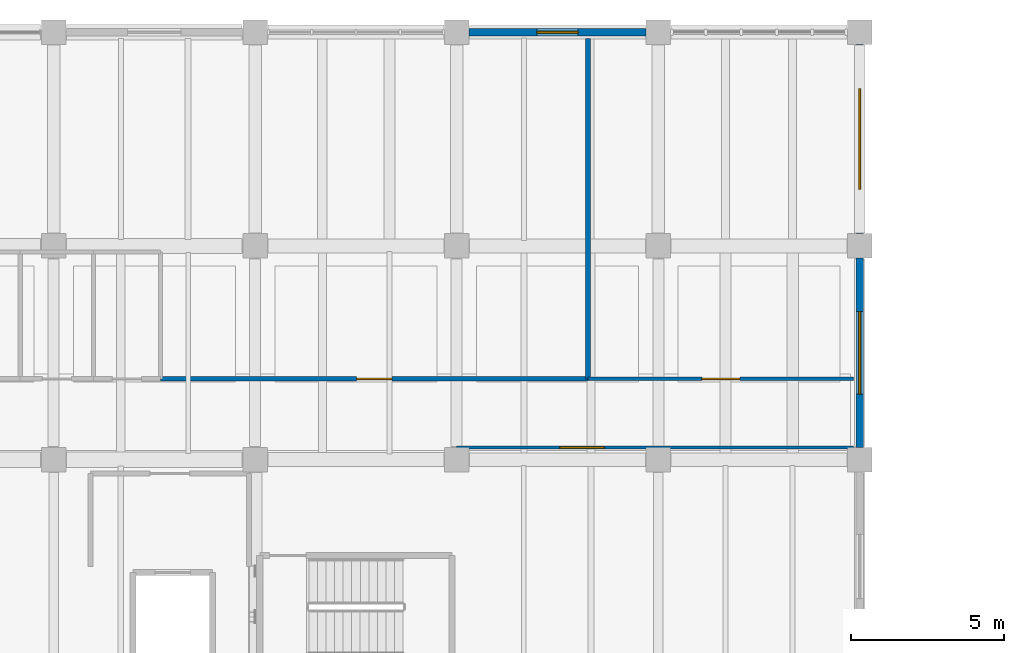
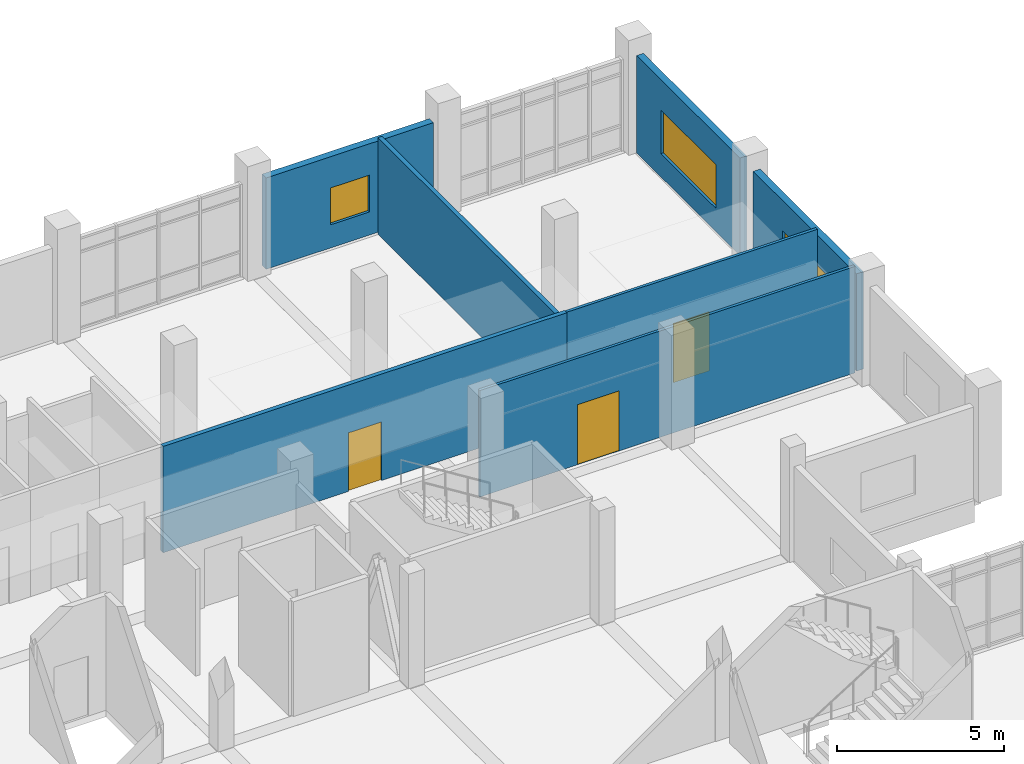
# One storey, part 55 of 67: 7 walls, 3 doors, 3 windows, 6 openings.
"""IFC4 building model written with IfcOpenShell, lengths in metres."""

from ifc_helpers import new_model, si_unit, direction, frame, frame_2d, origin, place, context, subcontext, project, spatial, rectangle, extrude, material, layer, layer_set, type_object, element, fill, save


model = new_model("IFC4")

# Units and contexts
model_context = context("Model", 3, precision=1e-05, world=origin(), true_north=direction((0.0, 1.0)))
body_context = subcontext(model_context, "Body", "Model", "MODEL_VIEW")
ifc_project = project(units=[si_unit("LENGTHUNIT", "METRE"), si_unit("AREAUNIT", "SQUARE_METRE"), si_unit("VOLUMEUNIT", "CUBIC_METRE"), si_unit("PLANEANGLEUNIT", "RADIAN"), si_unit("MASSUNIT", "GRAM", prefix="KILO")], contexts=[model_context])

# Site, building, storey
site_placement = place(None, origin())
site = spatial("IfcSite", under=ifc_project, at=site_placement, CompositionType="ELEMENT")
building_placement = place(site_placement, origin())
building = spatial("IfcBuilding", under=site, at=building_placement, Name="Ciguamira Faculty of Natural Sciences", CompositionType="ELEMENT")
storey_placement = place(building_placement, frame((0.0, 0.0, 8.39990234375)))
storey = spatial("IfcBuildingStorey", under=building, at=storey_placement, Name="L02", CompositionType="ELEMENT", Elevation=8.39990234375)

# Wall, opening, window
ifc_material_1 = material(Name="Precast concrete C40/50", Category="concrete")
ifc_layer_1 = layer(ifc_material_1, 0.239990234375, Name="Precast concrete C40/50")
ifc_layer_set_1 = layer_set([ifc_layer_1], Name="Precast concrete C40/50")
wall_type_1 = type_object("IfcWallType", Name="ExtWall_EW-02_240", PredefinedType="SOLIDWALL", material=ifc_layer_set_1)
wall_1_placement = place(storey_placement, frame((103.89990234375, 115.0, 0.0), z_axis=(0.0, 0.0, 1.0), x_axis=(1.0, 0.0, 0.0)))
wall_1 = element("IfcWall", 1, at=wall_1_placement, inside=storey, type_object=wall_type_1, Name="L02 exterior wall 0230", PredefinedType="SOLIDWALL", context=body_context, shape_type="SweptSolid", body=[
    extrude(rectangle(XDim=5.800048828125, YDim=0.239990234375, at=frame_2d((2.89990234375, 0.0))), origin(), (0.0, 0.0, 1.0), 3.34521484375),
])
opening_1_placement = place(wall_1_placement, frame((2.22509765625, 0.0, 0.85009765625)))
opening_1 = element("IfcOpeningElement", 2, at=opening_1_placement, cuts=wall_1, Name="Opening WT-02", PredefinedType="OPENING", context=body_context, shape_type="SweptSolid", body=[
    extrude(rectangle(XDim=1.35009765625, YDim=1.35009765625, at=frame_2d((0.675048828125, 0.675048828125))), frame((0.0, 0.1298828125, 0.0), z_axis=(0.0, -1.0, 0.0), x_axis=(1.0, 0.0, 0.0)), (0.0, 0.0, 1.0), 0.260009765625),
])
ifc_material_2 = material(Name="Hurricane laminated solar glass", Category="glass")
window_type_1 = type_object("IfcWindowType", Name="Window_WT-02_1350x1350", PartitioningType="DOUBLE_PANEL_VERTICAL", PredefinedType="WINDOW", material=ifc_material_2)
window_1_placement = place(opening_1_placement, origin())
window_1 = element("IfcWindow", 3, at=window_1_placement, inside=storey, type_object=window_type_1, Name="L02 facade window 0137", OverallHeight=1.35009765625, OverallWidth=1.35009765625, PartitioningType="SINGLE_PANEL", PredefinedType="WINDOW", context=body_context, shape_type="SweptSolid", body=[
    extrude(rectangle(XDim=1.35009765625, YDim=1.35009765625, at=frame_2d((0.675048828125, 0.675048828125))), frame((0.0, 0.030029296875, 0.0), z_axis=(0.0, -1.0, 0.0), x_axis=(1.0, 0.0, 0.0)), (0.0, 0.0, 1.0), 0.06005859375),
])
fill(opening_1, window_1)

wall_2_placement = place(storey_placement, frame((116.699951171875, 101.39990234375, 0.0), z_axis=(0.0, 0.0, 1.0), x_axis=(0.0, 1.0, 0.0)))
wall_2 = element("IfcWall", 4, at=wall_2_placement, inside=storey, type_object=wall_type_1, Name="L02 exterior wall 0260", PredefinedType="SOLIDWALL", context=body_context, shape_type="SweptSolid", body=[
    extrude(rectangle(XDim=6.2001953125, YDim=0.239990234375, at=frame_2d((3.10009765625, 0.0))), origin(), (0.0, 0.0, 1.0), 3.565185546875),
])
opening_2_placement = place(wall_2_placement, frame((1.75, 0.0, 0.85009765625)))
opening_2 = element("IfcOpeningElement", 5, at=opening_2_placement, cuts=wall_2, Name="Opening WT-24", PredefinedType="OPENING", context=body_context, shape_type="SweptSolid", body=[
    extrude(rectangle(XDim=2.699951171875, YDim=1.60009765625, at=frame_2d((1.35009765625, 0.800048828125))), frame((0.0, 0.1298828125, 0.0), z_axis=(0.0, -1.0, 0.0), x_axis=(1.0, 0.0, 0.0)), (0.0, 0.0, 1.0), 0.260009765625),
])
window_type_2 = type_object("IfcWindowType", Name="Window_WT-24_2700x1600", PartitioningType="DOUBLE_PANEL_VERTICAL", PredefinedType="WINDOW", material=ifc_material_2)
window_2_placement = place(opening_2_placement, origin())
window_2 = element("IfcWindow", 6, at=window_2_placement, inside=storey, type_object=window_type_2, Name="L02 facade window 0165", OverallHeight=1.60009765625, OverallWidth=2.699951171875, PartitioningType="SINGLE_PANEL", PredefinedType="WINDOW", context=body_context, shape_type="SweptSolid", body=[
    extrude(rectangle(XDim=2.699951171875, YDim=1.60009765625, at=frame_2d((1.35009765625, 0.800048828125))), frame((0.0, 0.030029296875, 0.0), z_axis=(0.0, -1.0, 0.0), x_axis=(1.0, 0.0, 0.0)), (0.0, 0.0, 1.0), 0.06005859375),
])
fill(opening_2, window_2)

wall_3_placement = place(storey_placement, frame((116.699951171875, 108.39990234375, 0.0), z_axis=(0.0, 0.0, 1.0), x_axis=(0.0, 1.0, 0.0)))
wall_3 = element("IfcWall", 7, at=wall_3_placement, inside=storey, type_object=wall_type_1, Name="L02 exterior wall 0261", PredefinedType="SOLIDWALL", context=body_context, shape_type="SweptSolid", body=[
    extrude(rectangle(XDim=6.2001953125, YDim=0.239990234375, at=frame_2d((3.10009765625, 0.0))), origin(), (0.0, 0.0, 1.0), 3.565185546875),
])
opening_3_placement = place(wall_3_placement, frame((1.449951171875, 0.0, 0.85009765625)))
opening_3 = element("IfcOpeningElement", 8, at=opening_3_placement, cuts=wall_3, Name="Opening WT-26", PredefinedType="OPENING", context=body_context, shape_type="SweptSolid", body=[
    extrude(rectangle(XDim=3.300048828125, YDim=1.60009765625, at=frame_2d((1.64990234375, 0.800048828125))), frame((0.0, 0.1298828125, 0.0), z_axis=(0.0, -1.0, 0.0), x_axis=(1.0, 0.0, 0.0)), (0.0, 0.0, 1.0), 0.260009765625),
])
window_type_3 = type_object("IfcWindowType", Name="Window_WT-26_3300x1600", PartitioningType="DOUBLE_PANEL_VERTICAL", PredefinedType="WINDOW", material=ifc_material_2)
window_3_placement = place(opening_3_placement, origin())
window_3 = element("IfcWindow", 9, at=window_3_placement, inside=storey, type_object=window_type_3, Name="L02 facade window 0166", OverallHeight=1.60009765625, OverallWidth=3.300048828125, PartitioningType="SINGLE_PANEL", PredefinedType="WINDOW", context=body_context, shape_type="SweptSolid", body=[
    extrude(rectangle(XDim=3.300048828125, YDim=1.60009765625, at=frame_2d((1.64990234375, 0.800048828125))), frame((0.0, 0.030029296875, 0.0), z_axis=(0.0, -1.0, 0.0), x_axis=(1.0, 0.0, 0.0)), (0.0, 0.0, 1.0), 0.06005859375),
])
fill(opening_3, window_3)

# Wall, opening, door
ifc_material_3 = material(Name="Fire-rated gypsum partition")
ifc_layer_2 = layer(ifc_material_3, 0.10009765625, Name="Fire-rated gypsum partition")
ifc_layer_set_2 = layer_set([ifc_layer_2], Name="Fire-rated gypsum partition")
wall_type_2 = type_object("IfcWallType", Name="IntWall_IW-A10_100", PredefinedType="PARTITIONING", material=ifc_layer_set_2)
wall_4_placement = place(storey_placement, frame((107.800048828125, 103.64990234375, 0.0), z_axis=(0.0, 0.0, 1.0), x_axis=(1.0, 0.0, 0.0)))
wall_4 = element("IfcWall", 10, at=wall_4_placement, inside=storey, type_object=wall_type_2, Name="L02 Biology Faculty Staff Offices partition south", PredefinedType="PARTITIONING", context=body_context, shape_type="SweptSolid", body=[
    extrude(rectangle(XDim=8.699951171875, YDim=0.10009765625, at=frame_2d((4.35009765625, 0.0))), origin(), (0.0, 0.0, 1.0), 3.900146484375),
])
opening_4_placement = place(wall_4_placement, frame((3.72509765625, 0.0, 0.0)))
opening_4 = element("IfcOpeningElement", 11, at=opening_4_placement, cuts=wall_4, Name="Opening ID-06", PredefinedType="OPENING", context=body_context, shape_type="SweptSolid", body=[
    extrude(rectangle(XDim=1.25, YDim=2.14990234375, at=frame_2d((0.625, 1.074951171875))), frame((0.0, 0.06005859375, 0.0), z_axis=(0.0, -1.0, 0.0), x_axis=(1.0, 0.0, 0.0)), (0.0, 0.0, 1.0), 0.1201171875),
])
ifc_material_4 = material(Name="Instrument room leaf-and-half door")
door_type_1 = type_object("IfcDoorType", Name="IntDoor_ID-06_1250x2150", OperationType="NOTDEFINED", PredefinedType="DOOR", material=ifc_material_4)
door_1_placement = place(opening_4_placement, origin())
door_1 = element("IfcDoor", 12, at=door_1_placement, inside=storey, type_object=door_type_1, Name="L02 Biology Faculty Staff Offices door", OperationType="SINGLE_SWING_RIGHT", OverallHeight=2.14990234375, OverallWidth=1.25, PredefinedType="DOOR", context=body_context, shape_type="SweptSolid", body=[
    extrude(rectangle(XDim=1.25, YDim=2.14990234375, at=frame_2d((0.625, 1.074951171875))), frame((0.0, 0.02490234375, 0.0), z_axis=(0.0, -1.0, 0.0), x_axis=(1.0, 0.0, 0.0)), (0.0, 0.0, 1.0), 0.050048828125),
])
fill(opening_4, door_1)

wall_5_placement = place(storey_placement, frame((103.5, 101.39990234375, 0.0), z_axis=(0.0, 0.0, 1.0), x_axis=(1.0, 0.0, 0.0)))
wall_5 = element("IfcWall", 13, at=wall_5_placement, inside=storey, type_object=wall_type_2, Name="L02 Visiting Fellows Office partition north", PredefinedType="PARTITIONING", context=body_context, shape_type="SweptSolid", body=[
    extrude(rectangle(XDim=13.0, YDim=0.10009765625, at=frame_2d((6.5, 0.0))), origin(), (0.0, 0.0, 1.0), 3.900146484375),
])
opening_5_placement = place(wall_5_placement, frame((3.375, 0.0, 0.0)))
opening_5 = element("IfcOpeningElement", 14, at=opening_5_placement, cuts=wall_5, Name="Opening ID-08", PredefinedType="OPENING", context=body_context, shape_type="SweptSolid", body=[
    extrude(rectangle(XDim=1.449951171875, YDim=2.199951171875, at=frame_2d((0.72509765625, 1.10009765625))), frame((0.0, 0.06005859375, 0.0), z_axis=(0.0, -1.0, 0.0), x_axis=(1.0, 0.0, 0.0)), (0.0, 0.0, 1.0), 0.1201171875),
])
ifc_material_5 = material(Name="Wet chemistry laboratory door")
door_type_2 = type_object("IfcDoorType", Name="IntDoor_ID-08_1450x2200", OperationType="NOTDEFINED", PredefinedType="DOOR", material=ifc_material_5)
door_2_placement = place(opening_5_placement, frame((1.449951171875, 0.0, 0.0), z_axis=(0.0, 0.0, 1.0), x_axis=(-1.0, 0.0, 0.0)))
door_2 = element("IfcDoor", 15, at=door_2_placement, inside=storey, type_object=door_type_2, Name="L02 Visiting Fellows Office door", OperationType="SINGLE_SWING_RIGHT", OverallHeight=2.199951171875, OverallWidth=1.449951171875, PredefinedType="DOOR", context=body_context, shape_type="SweptSolid", body=[
    extrude(rectangle(XDim=1.449951171875, YDim=2.199951171875, at=frame_2d((0.72509765625, 1.10009765625))), frame((0.0, 0.02490234375, 0.0), z_axis=(0.0, -1.0, 0.0), x_axis=(1.0, 0.0, 0.0)), (0.0, 0.0, 1.0), 0.050048828125),
])
fill(opening_5, door_2)

ifc_material_6 = material(Name="Acoustic laboratory corridor partition")
ifc_layer_3 = layer(ifc_material_6, 0.14990234375, Name="Acoustic laboratory corridor partition")
ifc_layer_set_3 = layer_set([ifc_layer_3], Name="Acoustic laboratory corridor partition")
wall_type_3 = type_object("IfcWallType", Name="IntWall_IW-G15_150", PredefinedType="PARTITIONING", material=ifc_layer_set_3)
wall_6_placement = place(storey_placement, frame((93.800048828125, 103.64990234375, 0.0), z_axis=(0.0, 0.0, 1.0), x_axis=(1.0, 0.0, 0.0)))
wall_6 = element("IfcWall", 16, at=wall_6_placement, inside=storey, type_object=wall_type_3, Name="L02 Tissue Culture Clean Laboratory partition south", PredefinedType="PARTITIONING", context=body_context, shape_type="SweptSolid", body=[
    extrude(rectangle(XDim=14.0, YDim=0.14990234375, at=frame_2d((7.0, 0.0))), origin(), (0.0, 0.0, 1.0), 3.900146484375),
])
opening_6_placement = place(wall_6_placement, frame((6.425048828125, 0.0, 0.0)))
opening_6 = element("IfcOpeningElement", 17, at=opening_6_placement, cuts=wall_6, Name="Opening ID-05", PredefinedType="OPENING", context=body_context, shape_type="SweptSolid", body=[
    extrude(rectangle(XDim=1.14990234375, YDim=2.14990234375, at=frame_2d((0.574951171875, 1.074951171875))), frame((0.0, 0.0849609375, 0.0), z_axis=(0.0, -1.0, 0.0), x_axis=(1.0, 0.0, 0.0)), (0.0, 0.0, 1.0), 0.169921875),
])
ifc_material_7 = material(Name="Research office wide door")
door_type_3 = type_object("IfcDoorType", Name="IntDoor_ID-05_1150x2150", OperationType="NOTDEFINED", PredefinedType="DOOR", material=ifc_material_7)
door_3_placement = place(opening_6_placement, origin())
door_3 = element("IfcDoor", 18, at=door_3_placement, inside=storey, type_object=door_type_3, Name="L02 Tissue Culture Clean Laboratory door", OperationType="SINGLE_SWING_LEFT", OverallHeight=2.14990234375, OverallWidth=1.14990234375, PredefinedType="DOOR", context=body_context, shape_type="SweptSolid", body=[
    extrude(rectangle(XDim=1.14990234375, YDim=2.14990234375, at=frame_2d((0.574951171875, 1.074951171875))), frame((0.0, 0.02490234375, 0.0), z_axis=(0.0, -1.0, 0.0), x_axis=(1.0, 0.0, 0.0)), (0.0, 0.0, 1.0), 0.050048828125),
])
fill(opening_6, door_3)

# Wall
wall_7_placement = place(storey_placement, frame((107.800048828125, 103.64990234375, 0.0), z_axis=(0.0, 0.0, 1.0), x_axis=(0.0, 1.0, 0.0)))
element("IfcWall", 19, at=wall_7_placement, inside=storey, type_object=wall_type_3, Name="L02 Tissue Culture Clean Laboratory partition east", PredefinedType="PARTITIONING", context=body_context, shape_type="SweptSolid", body=[
    extrude(rectangle(XDim=11.150146484375, YDim=0.14990234375, at=frame_2d((5.5751953125, 0.0))), origin(), (0.0, 0.0, 1.0), 3.5361328125),
])

save(model, "model.ifc")
